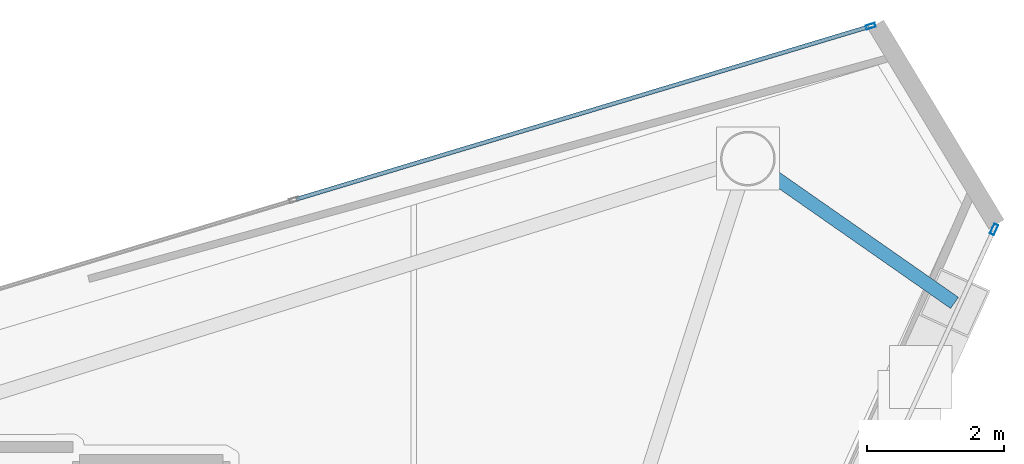
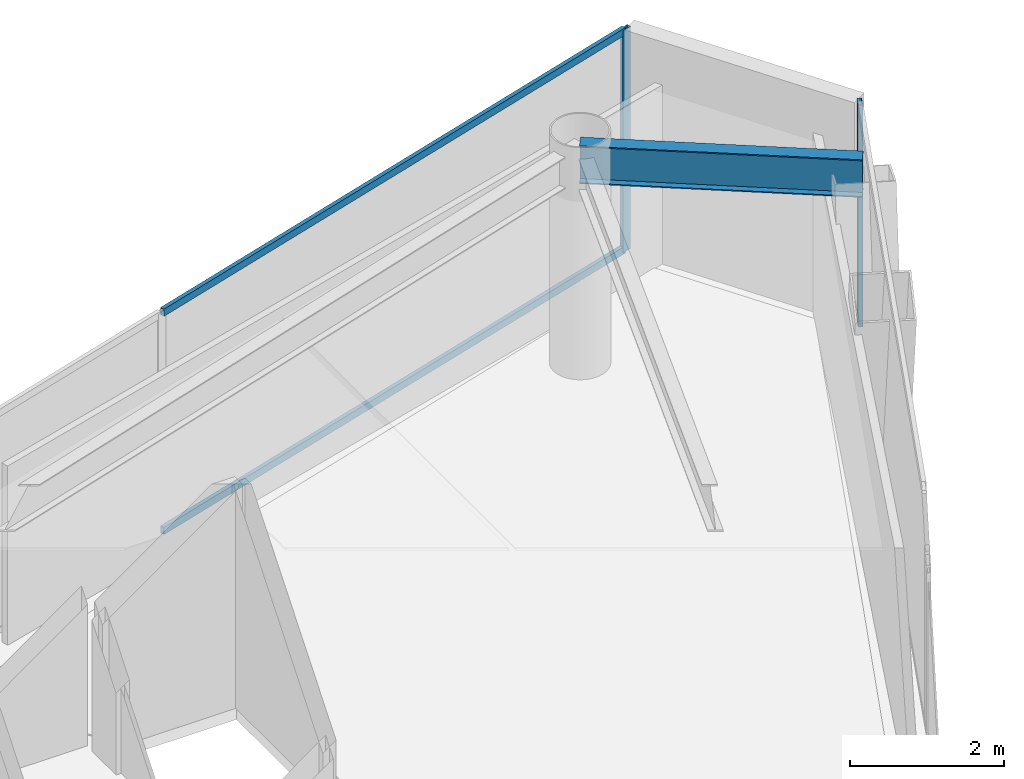
# One storey, part 14 of 19: 4 members, 1 beam, 2 elements without a shape of their own.
"""IFC4 building model written with IfcOpenShell, lengths in metres."""

import ifcopenshell
import ifcopenshell.guid

model = None  # the IFC model being written
_history = None  # IfcOwnerHistory: only IFC2X3 demands one
_inside = {}  # id of a spatial element -> (the spatial element, [elements in it])
_under = {}  # id of a project, library or spatial element -> (it, [spatial elements below it])
_declared = {}  # id of a project -> (the project, [libraries it declares])
_typed = {}  # id of a type object -> (the type object, [elements of that type])
_made_of = {}  # id of a material, layer set ... -> (it, [elements and type objects made of it])


def new_model(schema):
    """Start an empty IFC model of exactly this schema.

    Asked for "IFC4X3", IfcOpenShell would pick the latest addendum, in which some entities
    have other attributes; the version numbers below select the first issue.
    IFC2X3 requires an IfcOwnerHistory on every rooted entity: one is made here for all.
    """
    global model, _history
    if schema == "IFC4X3":
        model = ifcopenshell.file(schema_version=(4, 3, 0, 0))
    else:
        model = ifcopenshell.file(schema=schema)
    _inside.clear()
    _under.clear()
    _declared.clear()
    _typed.clear()
    _made_of.clear()
    _history = None
    if model.schema == "IFC2X3":
        org = make("IfcOrganization", Name="unknown")
        user = make(
            "IfcPersonAndOrganization",
            ThePerson=make("IfcPerson", FamilyName="unknown"),
            TheOrganization=org,
        )
        app = make(
            "IfcApplication",
            ApplicationDeveloper=org,
            Version="unknown",
            ApplicationFullName="unknown",
            ApplicationIdentifier="unknown",
        )
        _history = make(
            "IfcOwnerHistory",
            OwningUser=user,
            OwningApplication=app,
            ChangeAction="ADDED",
            CreationDate=0,
        )
    return model


def make(cls, **values):
    """One entity of the class cls with the attributes given. An attribute that is None is left unset."""
    return model.create_entity(
        cls, **{name: value for name, value in values.items() if value is not None}
    )


def rooted(cls, **values):
    """An entity with a GlobalId (a new one), such as an element, a storey or a relation."""
    return make(cls, GlobalId=ifcopenshell.guid.new(), OwnerHistory=_history, **values)


def si_unit(unit_type, name, prefix=None):
    """IfcSIUnit, for example si_unit("LENGTHUNIT", "METRE", prefix="MILLI")."""
    return make("IfcSIUnit", UnitType=unit_type, Prefix=prefix, Name=name)


def assignment(units):
    """IfcUnitAssignment: the units of a project."""
    return None if units is None else make("IfcUnitAssignment", Units=units)


def point(xyz):
    """IfcCartesianPoint."""
    return None if xyz is None else make("IfcCartesianPoint", Coordinates=xyz)


def direction(xyz):
    """IfcDirection."""
    return None if xyz is None else make("IfcDirection", DirectionRatios=xyz)


def frame(location, z_axis=None, x_axis=None):
    """IfcAxis2Placement3D, a coordinate frame: its origin and axes. An axis left out is left unset."""
    return make(
        "IfcAxis2Placement3D",
        Location=point(location),
        Axis=direction(z_axis),
        RefDirection=direction(x_axis),
    )


def frame_2d(location, x_axis=None):
    """IfcAxis2Placement2D, a coordinate frame in the plane: its origin and x axis."""
    return make(
        "IfcAxis2Placement2D", Location=point(location), RefDirection=direction(x_axis)
    )


def origin():
    """The frame at (0, 0, 0) with its axes left unset."""
    return frame((0.0, 0.0, 0.0))


def origin_2d():
    """The frame at (0, 0) in the plane with its x axis left unset."""
    return frame_2d((0.0, 0.0))


def place(relative_to, where):
    """IfcLocalPlacement: puts the frame where relative to a parent placement (None: the world)."""
    return make(
        "IfcLocalPlacement", PlacementRelTo=relative_to, RelativePlacement=where
    )


def context(
    kind, dimensions, precision=None, world=None, true_north=None, identifier=None
):
    """IfcGeometricRepresentationContext, for example the 3D "Model" context."""
    return make(
        "IfcGeometricRepresentationContext",
        ContextIdentifier=identifier,
        ContextType=kind,
        CoordinateSpaceDimension=dimensions,
        Precision=precision,
        WorldCoordinateSystem=world,
        TrueNorth=true_north,
    )


def subcontext(parent, identifier, kind, view, scale=None):
    """IfcGeometricRepresentationSubContext, for example "Body" below "Model"."""
    return make(
        "IfcGeometricRepresentationSubContext",
        ContextIdentifier=identifier,
        ContextType=kind,
        ParentContext=parent,
        TargetScale=scale,
        TargetView=view,
    )


def project(units=None, contexts=None):
    """IfcProject with its units and contexts."""
    return rooted(
        "IfcProject",
        Name="project",
        RepresentationContexts=contexts,
        UnitsInContext=assignment(units),
    )


def spatial(cls, under=None, at=None, **own):
    """A site, building, storey or space (cls), placed at a placement, below another one or the project."""
    s = rooted(cls, ObjectPlacement=at, **own)
    if under is not None:
        _under.setdefault(under.id(), (under, []))[1].append(s)
    return s


def profile(cls, at=None, kind="AREA", **sizes):
    """A parametric profile (cls). Its sizes go by their IFC names, for example OverallWidth=200.0."""
    return make(cls, ProfileType=kind, Position=at, **sizes)


def hollow_rectangle(**sizes):
    """IfcRectangleHollowProfileDef."""
    return profile("IfcRectangleHollowProfileDef", **sizes)


def i_section(**sizes):
    """IfcIShapeProfileDef."""
    return profile("IfcIShapeProfileDef", **sizes)


def extrude(swept, where, along, depth):
    """IfcExtrudedAreaSolid: the profile swept, set in the frame where, extruded along a direction by depth."""
    return make(
        "IfcExtrudedAreaSolid",
        SweptArea=swept,
        Position=where,
        ExtrudedDirection=direction(along),
        Depth=depth,
    )


def shape(context_of_items, identifier, shape_type, items):
    """IfcShapeRepresentation: the items that make up one representation, for example the "Body"."""
    return make(
        "IfcShapeRepresentation",
        ContextOfItems=context_of_items,
        RepresentationIdentifier=identifier,
        RepresentationType=shape_type,
        Items=items,
    )


def material(Name=None, Category=None):
    """IfcMaterial."""
    return make("IfcMaterial", Name=Name, Category=Category)


def layer(
    of_material, thickness, ventilated=None, Name=None, Category=None, Priority=None
):
    """IfcMaterialLayer: one layer of a wall or slab, of a material (None: an air gap)."""
    return make(
        "IfcMaterialLayer",
        Material=of_material,
        LayerThickness=thickness,
        IsVentilated=ventilated,
        Name=Name,
        Category=Category,
        Priority=Priority,
    )


def layer_set(layers, Name=None):
    """IfcMaterialLayerSet."""
    return make("IfcMaterialLayerSet", MaterialLayers=layers, LayerSetName=Name)


def material_profile(
    of_material, cross_section, Name=None, Category=None, Priority=None
):
    """IfcMaterialProfile: a cross section and its material."""
    return make(
        "IfcMaterialProfile",
        Name=Name,
        Material=of_material,
        Profile=cross_section,
        Priority=Priority,
        Category=Category,
    )


def profile_set(profiles, Name=None, composite=None):
    """IfcMaterialProfileSet."""
    return make(
        "IfcMaterialProfileSet",
        Name=Name,
        MaterialProfiles=profiles,
        CompositeProfile=composite,
    )


def made_of(thing, what):
    """Note that an element or type object is made of a material, layer set ...; save() writes the relation."""
    if what is not None:
        _made_of.setdefault(what.id(), (what, []))[1].append(thing)
    return thing


def type_object(cls, material=None, **own):
    """A type object (cls), such as IfcWallType, which elements share."""
    return made_of(rooted(cls, **own), material)


def element(
    cls,
    number,
    at=None,
    inside=None,
    cuts=None,
    type_object=None,
    material=None,
    context=None,
    identifier="Body",
    shape_type=None,
    held_by="IfcProductDefinitionShape",
    body=None,
    shapes=None,
    **own,
):
    """One element of the class cls, such as IfcWall. Its Tag is "e" and its number.

    at: its placement. inside: the storey or other place that contains it. cuts: it is an
    opening in that element (IfcRelVoidsElement). A single representation is given by context,
    identifier, shape_type and body (its items); several are given by shapes. held_by: the class
    of the entity that holds the representations. save() writes the other relations.
    """
    e = rooted(cls, Tag="e%d" % number, ObjectPlacement=at, **own)
    if body is not None:
        shapes = [shape(context, identifier, shape_type, body)]
    if shapes is not None:
        e.Representation = make(held_by, Representations=shapes)
    if inside is not None:
        _inside.setdefault(inside.id(), (inside, []))[1].append(e)
    if cuts is not None:
        rooted(
            "IfcRelVoidsElement", RelatingBuildingElement=cuts, RelatedOpeningElement=e
        )
    if type_object is not None:
        _typed.setdefault(type_object.id(), (type_object, []))[1].append(e)
    return made_of(e, material)


def aggregate(whole, parts):
    """IfcRelAggregates: a whole, such as a stair, and the parts it consists of."""
    return rooted("IfcRelAggregates", RelatingObject=whole, RelatedObjects=parts)


def save(model, path):
    """Write the relations noted so far, then the file.

    IfcRelAggregates (storeys below a building ...), IfcRelContainedInSpatialStructure (elements
    in a storey), IfcRelDefinesByType, IfcRelAssociatesMaterial and IfcRelDeclares: one each for
    every whole, place, type object, material and project.
    """
    for whole, parts in _under.values():
        aggregate(whole, parts)
    for where, things in _inside.values():
        rooted(
            "IfcRelContainedInSpatialStructure",
            RelatedElements=things,
            RelatingStructure=where,
        )
    for kind, things in _typed.values():
        rooted("IfcRelDefinesByType", RelatedObjects=things, RelatingType=kind)
    for what, things in _made_of.values():
        rooted("IfcRelAssociatesMaterial", RelatedObjects=things, RelatingMaterial=what)
    for by, libraries in _declared.values():
        rooted("IfcRelDeclares", RelatingContext=by, RelatedDefinitions=libraries)
    model.write(path)


model = new_model("IFC4")

# Units and contexts
model_context = context("Model", 3, precision=1e-05, world=origin(), true_north=direction((0.0, 1.0)))
body_context = subcontext(model_context, "Body", "Model", "MODEL_VIEW")
ifc_project = project(units=[si_unit("LENGTHUNIT", "METRE"), si_unit("AREAUNIT", "SQUARE_METRE"), si_unit("VOLUMEUNIT", "CUBIC_METRE"), si_unit("PLANEANGLEUNIT", "RADIAN"), si_unit("MASSUNIT", "GRAM", prefix="KILO")], contexts=[model_context])

# Site, building, storey
site_placement = place(None, origin())
site = spatial("IfcSite", under=ifc_project, at=site_placement, CompositionType="ELEMENT")
building_placement = place(site_placement, origin())
building = spatial("IfcBuilding", under=site, at=building_placement, Name="Qianvela Tower", CompositionType="ELEMENT")
storey_placement = place(building_placement, frame((0.0, 0.0, 325.89990234375)))
storey = spatial("IfcBuildingStorey", under=building, at=storey_placement, Name="L84", CompositionType="ELEMENT", Elevation=325.89990234375)

# Beam
ifc_material_1 = material(Name="Steel Q355B", Category="steel")
ifc_material_profile_1 = material_profile(ifc_material_1, i_section(OverallWidth=0.199951171875, OverallDepth=0.60009765625, WebThickness=0.010986328125, FlangeThickness=0.01708984375, at=origin_2d()), Name="HN600x200x11x17")
ifc_profile_set_1 = profile_set([ifc_material_profile_1], Name="Steel Q355B")
beam_type = type_object("IfcBeamType", Name="BM-HN600-GIRD", PredefinedType="BEAM", material=ifc_profile_set_1)
beam_placement = place(storey_placement, frame((51.22705078125, 39.7080078125, 3.218017578125), z_axis=(0.819931678279, -0.572461389925, 0.0), x_axis=(0.572461389925, 0.819931678279, 0.0)))
element("IfcBeam", 1, at=beam_placement, inside=storey, type_object=beam_type, Name="L84 Mega-Brace Column Tie Bracket F3-2", PredefinedType="BEAM", context=body_context, shape_type="SweptSolid", body=[
    extrude(i_section(OverallWidth=0.199951171875, OverallDepth=0.60009765625, WebThickness=0.010986328125, FlangeThickness=0.01708984375, at=origin_2d()), origin(), (0.0, 0.0, 1.0), 3.684814453125),
])

# Curtain wall, member
ifc_material_2 = material(Name="Anodised Architectural Aluminium and Insulated Spandrel Panel", Category="aluminium")
ifc_layer_1 = layer(ifc_material_2, 0.179931640625)
ifc_layer_set_1 = layer_set([ifc_layer_1], Name="Anodised Architectural Aluminium and Insulated Spandrel Panel")
curtain_wall_type_1 = type_object("IfcCurtainWallType", Name="CW-BRACEBAY", PredefinedType="USERDEFINED", material=ifc_layer_set_1)
curtain_wall_1_placement = place(storey_placement, origin())
curtain_wall_1 = element("IfcCurtainWall", 2, at=curtain_wall_1_placement, inside=storey, type_object=curtain_wall_type_1, Name="L84 CW-BRACEBAY Curtain Wall 06B", ObjectType="CURTAIN_WALL_SYSTEM", PredefinedType="USERDEFINED")
ifc_material_3 = material(Name="Anodised Architectural Aluminium 6063-T6", Category="aluminium")
ifc_material_profile_2 = material_profile(ifc_material_3, hollow_rectangle(XDim=0.06494140625, YDim=0.159912109375, WallThickness=0.0048828125, at=origin_2d()), Name="ALU-MULL-65x160")
ifc_profile_set_2 = profile_set([ifc_material_profile_2], Name="Anodised Architectural Aluminium 6063-T6")
member_type_1 = type_object("IfcMemberType", Name="CW-BRACEBAY-MULL", PredefinedType="MULLION", material=ifc_profile_set_2)
member_1_placement = place(storey_placement, frame((54.826416015625, 38.673095703125, 0.0), z_axis=(0.0, 0.0, 1.0), x_axis=(-0.909767980335, 0.415117118362, 0.0)))
member_1 = element("IfcMember", 3, at=member_1_placement, type_object=member_type_1, Name="CW-9 mullion 2", PredefinedType="MULLION", context=body_context, shape_type="SweptSolid", body=[
    extrude(hollow_rectangle(XDim=0.06494140625, YDim=0.159912109375, WallThickness=0.0048828125, at=origin_2d()), origin(), (0.0, 0.0, 1.0), 3.52001953125),
])
aggregate(curtain_wall_1, [member_1])

# Curtain wall, members
ifc_material_4 = material(Name="Anodised Architectural Aluminium and Low-E Glass", Category="aluminium")
ifc_layer_2 = layer(ifc_material_4, 0.14990234375)
ifc_layer_set_2 = layer_set([ifc_layer_2], Name="Anodised Architectural Aluminium and Low-E Glass")
curtain_wall_type_2 = type_object("IfcCurtainWallType", Name="CW-COLIV-Z78", PredefinedType="USERDEFINED", material=ifc_layer_set_2)
curtain_wall_2_placement = place(storey_placement, origin())
curtain_wall_2 = element("IfcCurtainWall", 4, at=curtain_wall_2_placement, inside=storey, type_object=curtain_wall_type_2, Name="L84 CW-COLIV-Z78 Curtain Wall 02A", ObjectType="CURTAIN_WALL_SYSTEM", PredefinedType="USERDEFINED")
ifc_material_5 = material(Name="Anodised Architectural Aluminium 6063-T6", Category="aluminium")
ifc_material_profile_3 = material_profile(ifc_material_5, hollow_rectangle(XDim=0.06005859375, YDim=0.139892578125, WallThickness=0.00439453125, at=origin_2d()), Name="ALU-MULL-60x140")
ifc_profile_set_3 = profile_set([ifc_material_profile_3], Name="Anodised Architectural Aluminium 6063-T6")
member_type_2 = type_object("IfcMemberType", Name="CW-COLIV-Z78-MULL", PredefinedType="MULLION", material=ifc_profile_set_3)
member_2_placement = place(storey_placement, frame((53.022705078125, 41.645263671875, 0.0), z_axis=(0.0, 0.0, 1.0), x_axis=(0.288480373472, -0.957485808835, 0.0)))
member_2 = element("IfcMember", 5, at=member_2_placement, type_object=member_type_2, Name="CW-6 mullion 1", PredefinedType="MULLION", context=body_context, shape_type="SweptSolid", body=[
    extrude(hollow_rectangle(XDim=0.06005859375, YDim=0.139892578125, WallThickness=0.00439453125, at=origin_2d()), origin(), (0.0, 0.0, 1.0), 3.52001953125),
])
ifc_material_6 = material(Name="Anodised Architectural Aluminium 6063-T6", Category="aluminium")
ifc_material_profile_4 = material_profile(ifc_material_6, hollow_rectangle(XDim=0.06005859375, YDim=0.114990234375, WallThickness=0.00390625, at=origin_2d()), Name="ALU-TRAN-60x115")
ifc_profile_set_4 = profile_set([ifc_material_profile_4], Name="Anodised Architectural Aluminium 6063-T6")
member_type_3 = type_object("IfcMemberType", Name="CW-COLIV-Z78-TRAN", PredefinedType="USERDEFINED", material=ifc_profile_set_4)
member_3_placement = place(storey_placement, frame((52.993896484375, 41.63671875, 0.030029296875), z_axis=(-0.957486826769, -0.288476994859, 0.0), x_axis=(0.288476994859, -0.957486826769, 0.0)))
member_3 = element("IfcMember", 6, at=member_3_placement, type_object=member_type_3, Name="CW-6 transom 1.1", ObjectType="TRANSOM", PredefinedType="USERDEFINED", context=body_context, shape_type="SweptSolid", body=[
    extrude(hollow_rectangle(XDim=0.06005859375, YDim=0.114990234375, WallThickness=0.00390625, at=origin_2d()), origin(), (0.0, 0.0, 1.0), 8.74658203125),
])
member_4_placement = place(storey_placement, frame((52.993896484375, 41.63671875, 3.489990234375), z_axis=(-0.957486826769, -0.288476994859, 0.0), x_axis=(0.288476994859, -0.957486826769, 0.0)))
member_4 = element("IfcMember", 7, at=member_4_placement, type_object=member_type_3, Name="CW-6 transom 1.2", ObjectType="TRANSOM", PredefinedType="USERDEFINED", context=body_context, shape_type="SweptSolid", body=[
    extrude(hollow_rectangle(XDim=0.06005859375, YDim=0.114990234375, WallThickness=0.00390625, at=origin_2d()), origin(), (0.0, 0.0, 1.0), 8.74658203125),
])
aggregate(curtain_wall_2, [member_2, member_3, member_4])

save(model, "model.ifc")
